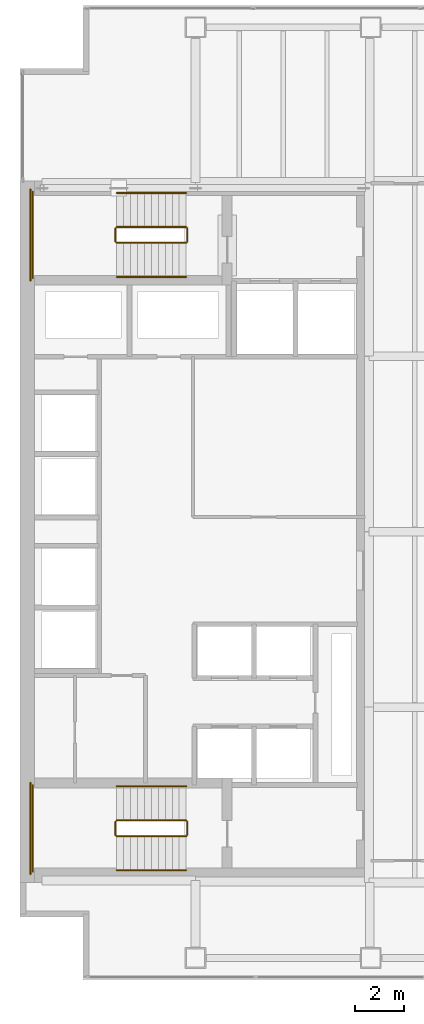
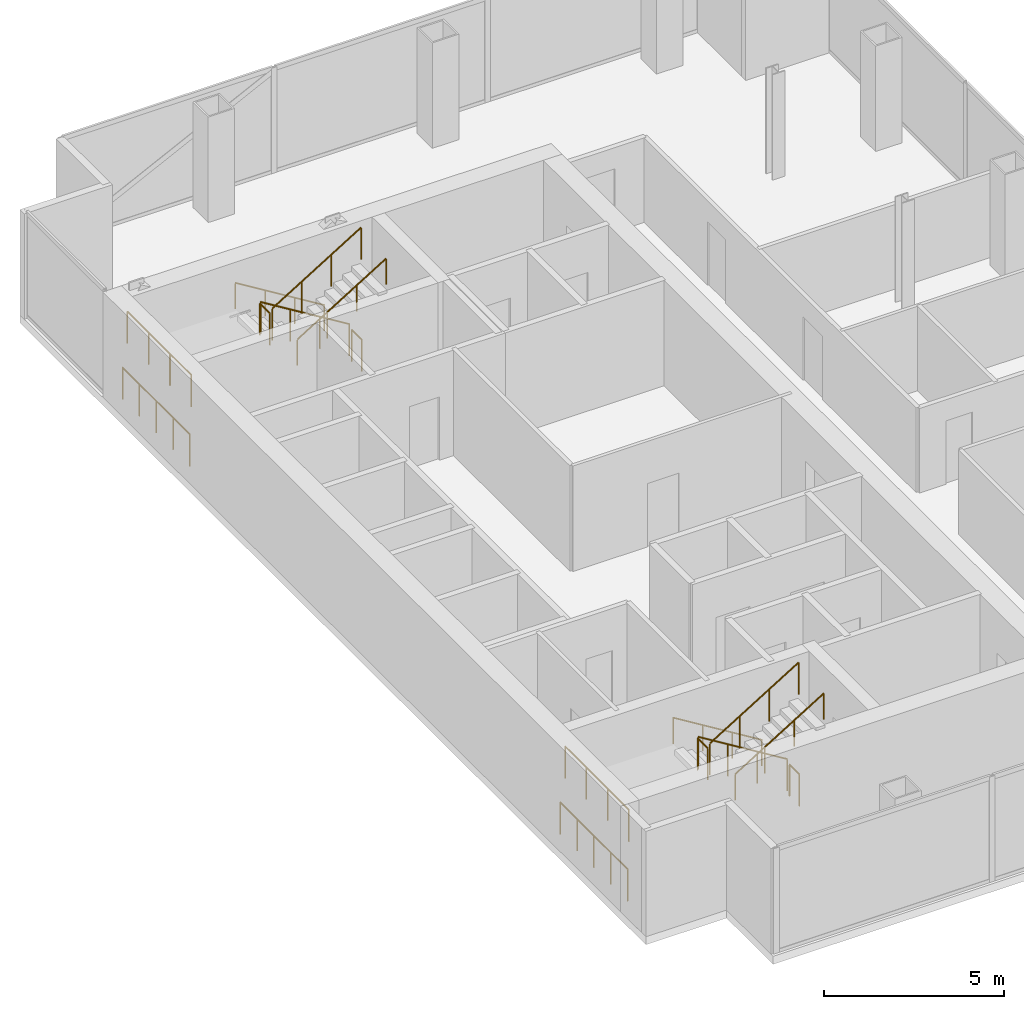
# One storey, part 23 of 23: 16 railings.
"""IFC4 building model written with IfcOpenShell, lengths in metres."""

from ifc_helpers import new_model, si_unit, direction, frame, origin, origin_2d, place, context, subcontext, project, spatial, circle, extrude, material, type_object, element, save


model = new_model("IFC4")

# Units and contexts
model_context = context("Model", 3, precision=1e-05, world=origin(), true_north=direction((0.0, 1.0)))
body_context = subcontext(model_context, "Body", "Model", "MODEL_VIEW")
ifc_project = project(units=[si_unit("LENGTHUNIT", "METRE"), si_unit("AREAUNIT", "SQUARE_METRE"), si_unit("VOLUMEUNIT", "CUBIC_METRE"), si_unit("PLANEANGLEUNIT", "RADIAN"), si_unit("MASSUNIT", "GRAM", prefix="KILO")], contexts=[model_context])

# Site, building, storey
site_placement = place(None, origin())
site = spatial("IfcSite", under=ifc_project, at=site_placement, CompositionType="ELEMENT")
building_placement = place(site_placement, origin())
building = spatial("IfcBuilding", under=site, at=building_placement, Name="Cobrela Telecom Tower", CompositionType="ELEMENT")
storey_placement = place(building_placement, frame((0.0, 0.0, 148.39990234375)))
storey = spatial("IfcBuildingStorey", under=building, at=storey_placement, Name="L37", CompositionType="ELEMENT", Elevation=148.39990234375)

# Railings
ifc_material = material(Name="Steel ASTM A36", Category="steel")
railing_type_1 = type_object("IfcRailingType", Name="RAIL-GUARD-1100", PredefinedType="GUARDRAIL", material=ifc_material)
railing_1_placement = place(storey_placement, frame((6.820068359375, 34.10009765625, 0.175048828125)))
element("IfcRailing", 1, at=railing_1_placement, inside=storey, type_object=railing_type_1, Name="L37 ST1 stair guard 1", PredefinedType="GUARDRAIL", context=body_context, shape_type="SweptSolid", body=[
    extrude(circle(Radius=0.02392578125, at=origin_2d()), frame((0.0, 0.0, 1.076171875), z_axis=(-0.852179220489, 0.0, 0.52325001306), x_axis=(0.0, -1.0, 0.0)), (0.0, 0.0, 1.0), 3.344482421875),
    extrude(circle(Radius=0.02099609375, at=origin_2d()), origin(), (0.0, 0.0, 1.0), 1.052001953125),
    extrude(circle(Radius=0.02099609375, at=origin_2d()), frame((-0.949951171875, 0.0, 0.583251953125)), (0.0, 0.0, 1.0), 1.052001953125),
    extrude(circle(Radius=0.02099609375, at=origin_2d()), frame((-1.900146484375, 0.0, 1.166748046875)), (0.0, 0.0, 1.0), 1.052001953125),
    extrude(circle(Radius=0.02099609375, at=origin_2d()), frame((-2.85009765625, 0.0, 1.75)), (0.0, 0.0, 1.0), 1.052001953125),
])
railing_2_placement = place(storey_placement, frame((3.919921875, 34.050048828125, 1.925048828125)))
element("IfcRailing", 2, at=railing_2_placement, inside=storey, type_object=railing_type_1, Name="L37 ST1 stair guard 2", PredefinedType="GUARDRAIL", context=body_context, shape_type="SweptSolid", body=[
    extrude(circle(Radius=0.02392578125, at=origin_2d()), frame((0.0, 0.0, 1.076171875), z_axis=(0.0, -1.0, 0.0), x_axis=(1.0, 0.0, 0.0)), (0.0, 0.0, 1.0), 0.550048828125),
    extrude(circle(Radius=0.02099609375, at=origin_2d()), origin(), (0.0, 0.0, 1.0), 1.052001953125),
    extrude(circle(Radius=0.02099609375, at=origin_2d()), frame((0.0, -0.550048828125, 0.0)), (0.0, 0.0, 1.0), 1.052001953125),
])
railing_3_placement = place(storey_placement, frame((0.530029296875, 35.550048828125, 1.925048828125)))
element("IfcRailing", 3, at=railing_3_placement, inside=storey, type_object=railing_type_1, Name="L37 ST1 stair guard 3", PredefinedType="GUARDRAIL", context=body_context, shape_type="SweptSolid", body=[
    extrude(circle(Radius=0.02392578125, at=origin_2d()), frame((0.0, 0.0, 1.076171875), z_axis=(0.0, -1.0, 0.0), x_axis=(1.0, 0.0, 0.0)), (0.0, 0.0, 1.0), 3.550048828125),
    extrude(circle(Radius=0.02099609375, at=origin_2d()), origin(), (0.0, 0.0, 1.0), 1.052001953125),
    extrude(circle(Radius=0.02099609375, at=origin_2d()), frame((0.0, -1.183349609375, 0.0)), (0.0, 0.0, 1.0), 1.052001953125),
    extrude(circle(Radius=0.02099609375, at=origin_2d()), frame((0.0, -2.36669921875, 0.0)), (0.0, 0.0, 1.0), 1.052001953125),
    extrude(circle(Radius=0.02099609375, at=origin_2d()), frame((0.0, -3.550048828125, 0.0)), (0.0, 0.0, 1.0), 1.052001953125),
])
railing_4_placement = place(storey_placement, frame((3.969970703125, 33.449951171875, 2.10009765625)))
element("IfcRailing", 4, at=railing_4_placement, inside=storey, type_object=railing_type_1, Name="L37 ST1 stair guard 4", PredefinedType="GUARDRAIL", context=body_context, shape_type="SweptSolid", body=[
    extrude(circle(Radius=0.02392578125, at=origin_2d()), frame((0.0, 0.0, 1.076171875), z_axis=(0.852179220489, 0.0, 0.52325001306), x_axis=(0.0, 1.0, 0.0)), (0.0, 0.0, 1.0), 3.344482421875),
    extrude(circle(Radius=0.02099609375, at=origin_2d()), origin(), (0.0, 0.0, 1.0), 1.052001953125),
    extrude(circle(Radius=0.02099609375, at=origin_2d()), frame((0.949951171875, 0.0, 0.583251953125)), (0.0, 0.0, 1.0), 1.052001953125),
    extrude(circle(Radius=0.02099609375, at=origin_2d()), frame((1.900146484375, 0.0, 1.166748046875)), (0.0, 0.0, 1.0), 1.052001953125),
    extrude(circle(Radius=0.02099609375, at=origin_2d()), frame((2.85009765625, 0.0, 1.75)), (0.0, 0.0, 1.0), 1.052001953125),
])
railing_5_placement = place(storey_placement, frame((6.8701171875, 34.050048828125, 0.0)))
element("IfcRailing", 5, at=railing_5_placement, inside=storey, type_object=railing_type_1, Name="L37 ST1 stair guard 5", PredefinedType="GUARDRAIL", context=body_context, shape_type="SweptSolid", body=[
    extrude(circle(Radius=0.02392578125, at=origin_2d()), frame((0.0, 0.0, 1.076171875), z_axis=(0.0, -1.0, 0.0), x_axis=(1.0, 0.0, 0.0)), (0.0, 0.0, 1.0), 0.550048828125),
    extrude(circle(Radius=0.02099609375, at=origin_2d()), origin(), (0.0, 0.0, 1.0), 1.052001953125),
    extrude(circle(Radius=0.02099609375, at=origin_2d()), frame((0.0, -0.550048828125, 0.0)), (0.0, 0.0, 1.0), 1.052001953125),
])
railing_6_placement = place(storey_placement, frame((0.429931640625, 35.64990234375, 0.0)))
element("IfcRailing", 6, at=railing_6_placement, inside=storey, type_object=railing_type_1, Name="L37 ST1 stair guard 6", PredefinedType="GUARDRAIL", context=body_context, shape_type="SweptSolid", body=[
    extrude(circle(Radius=0.02392578125, at=origin_2d()), frame((0.0, 0.0, 1.076171875), z_axis=(0.0, -1.0, 0.0), x_axis=(1.0, 0.0, 0.0)), (0.0, 0.0, 1.0), 3.75),
    extrude(circle(Radius=0.02099609375, at=origin_2d()), origin(), (0.0, 0.0, 1.0), 1.052001953125),
    extrude(circle(Radius=0.02099609375, at=origin_2d()), frame((0.0, -0.9375, 0.0)), (0.0, 0.0, 1.0), 1.052001953125),
    extrude(circle(Radius=0.02099609375, at=origin_2d()), frame((0.0, -1.875, 0.0)), (0.0, 0.0, 1.0), 1.052001953125),
    extrude(circle(Radius=0.02099609375, at=origin_2d()), frame((0.0, -2.8125, 0.0)), (0.0, 0.0, 1.0), 1.052001953125),
    extrude(circle(Radius=0.02099609375, at=origin_2d()), frame((0.0, -3.75, 0.0)), (0.0, 0.0, 1.0), 1.052001953125),
])
railing_7_placement = place(storey_placement, frame((6.820068359375, 9.75, 0.175048828125)))
element("IfcRailing", 7, at=railing_7_placement, inside=storey, type_object=railing_type_1, Name="L37 ST2 stair guard 1", PredefinedType="GUARDRAIL", context=body_context, shape_type="SweptSolid", body=[
    extrude(circle(Radius=0.02392578125, at=origin_2d()), frame((0.0, 0.0, 1.076171875), z_axis=(-0.852179220489, 0.0, 0.52325001306), x_axis=(0.0, -1.0, 0.0)), (0.0, 0.0, 1.0), 3.344482421875),
    extrude(circle(Radius=0.02099609375, at=origin_2d()), origin(), (0.0, 0.0, 1.0), 1.052001953125),
    extrude(circle(Radius=0.02099609375, at=origin_2d()), frame((-0.949951171875, 0.0, 0.583251953125)), (0.0, 0.0, 1.0), 1.052001953125),
    extrude(circle(Radius=0.02099609375, at=origin_2d()), frame((-1.900146484375, 0.0, 1.166748046875)), (0.0, 0.0, 1.0), 1.052001953125),
    extrude(circle(Radius=0.02099609375, at=origin_2d()), frame((-2.85009765625, 0.0, 1.75)), (0.0, 0.0, 1.0), 1.052001953125),
])
railing_8_placement = place(storey_placement, frame((3.919921875, 9.699951171875, 1.925048828125)))
element("IfcRailing", 8, at=railing_8_placement, inside=storey, type_object=railing_type_1, Name="L37 ST2 stair guard 2", PredefinedType="GUARDRAIL", context=body_context, shape_type="SweptSolid", body=[
    extrude(circle(Radius=0.02392578125, at=origin_2d()), frame((0.0, 0.0, 1.076171875), z_axis=(0.0, -1.0, 0.0), x_axis=(1.0, 0.0, 0.0)), (0.0, 0.0, 1.0), 0.550048828125),
    extrude(circle(Radius=0.02099609375, at=origin_2d()), origin(), (0.0, 0.0, 1.0), 1.052001953125),
    extrude(circle(Radius=0.02099609375, at=origin_2d()), frame((0.0, -0.550048828125, 0.0)), (0.0, 0.0, 1.0), 1.052001953125),
])
railing_9_placement = place(storey_placement, frame((0.530029296875, 11.199951171875, 1.925048828125)))
element("IfcRailing", 9, at=railing_9_placement, inside=storey, type_object=railing_type_1, Name="L37 ST2 stair guard 3", PredefinedType="GUARDRAIL", context=body_context, shape_type="SweptSolid", body=[
    extrude(circle(Radius=0.02392578125, at=origin_2d()), frame((0.0, 0.0, 1.076171875), z_axis=(0.0, -1.0, 0.0), x_axis=(1.0, 0.0, 0.0)), (0.0, 0.0, 1.0), 3.550048828125),
    extrude(circle(Radius=0.02099609375, at=origin_2d()), origin(), (0.0, 0.0, 1.0), 1.052001953125),
    extrude(circle(Radius=0.02099609375, at=origin_2d()), frame((0.0, -1.183349609375, 0.0)), (0.0, 0.0, 1.0), 1.052001953125),
    extrude(circle(Radius=0.02099609375, at=origin_2d()), frame((0.0, -2.36669921875, 0.0)), (0.0, 0.0, 1.0), 1.052001953125),
    extrude(circle(Radius=0.02099609375, at=origin_2d()), frame((0.0, -3.550048828125, 0.0)), (0.0, 0.0, 1.0), 1.052001953125),
])
railing_10_placement = place(storey_placement, frame((3.969970703125, 9.10009765625, 2.10009765625)))
element("IfcRailing", 10, at=railing_10_placement, inside=storey, type_object=railing_type_1, Name="L37 ST2 stair guard 4", PredefinedType="GUARDRAIL", context=body_context, shape_type="SweptSolid", body=[
    extrude(circle(Radius=0.02392578125, at=origin_2d()), frame((0.0, 0.0, 1.076171875), z_axis=(0.852179220489, 0.0, 0.52325001306), x_axis=(0.0, 1.0, 0.0)), (0.0, 0.0, 1.0), 3.344482421875),
    extrude(circle(Radius=0.02099609375, at=origin_2d()), origin(), (0.0, 0.0, 1.0), 1.052001953125),
    extrude(circle(Radius=0.02099609375, at=origin_2d()), frame((0.949951171875, 0.0, 0.583251953125)), (0.0, 0.0, 1.0), 1.052001953125),
    extrude(circle(Radius=0.02099609375, at=origin_2d()), frame((1.900146484375, 0.0, 1.166748046875)), (0.0, 0.0, 1.0), 1.052001953125),
    extrude(circle(Radius=0.02099609375, at=origin_2d()), frame((2.85009765625, 0.0, 1.75)), (0.0, 0.0, 1.0), 1.052001953125),
])
railing_11_placement = place(storey_placement, frame((6.8701171875, 9.699951171875, 0.0)))
element("IfcRailing", 11, at=railing_11_placement, inside=storey, type_object=railing_type_1, Name="L37 ST2 stair guard 5", PredefinedType="GUARDRAIL", context=body_context, shape_type="SweptSolid", body=[
    extrude(circle(Radius=0.02392578125, at=origin_2d()), frame((0.0, 0.0, 1.076171875), z_axis=(0.0, -1.0, 0.0), x_axis=(1.0, 0.0, 0.0)), (0.0, 0.0, 1.0), 0.550048828125),
    extrude(circle(Radius=0.02099609375, at=origin_2d()), origin(), (0.0, 0.0, 1.0), 1.052001953125),
    extrude(circle(Radius=0.02099609375, at=origin_2d()), frame((0.0, -0.550048828125, 0.0)), (0.0, 0.0, 1.0), 1.052001953125),
])
railing_12_placement = place(storey_placement, frame((0.429931640625, 11.300048828125, 0.0)))
element("IfcRailing", 12, at=railing_12_placement, inside=storey, type_object=railing_type_1, Name="L37 ST2 stair guard 6", PredefinedType="GUARDRAIL", context=body_context, shape_type="SweptSolid", body=[
    extrude(circle(Radius=0.02392578125, at=origin_2d()), frame((0.0, 0.0, 1.076171875), z_axis=(0.0, -1.0, 0.0), x_axis=(1.0, 0.0, 0.0)), (0.0, 0.0, 1.0), 3.75),
    extrude(circle(Radius=0.02099609375, at=origin_2d()), origin(), (0.0, 0.0, 1.0), 1.052001953125),
    extrude(circle(Radius=0.02099609375, at=origin_2d()), frame((0.0, -0.9375, 0.0)), (0.0, 0.0, 1.0), 1.052001953125),
    extrude(circle(Radius=0.02099609375, at=origin_2d()), frame((0.0, -1.875, 0.0)), (0.0, 0.0, 1.0), 1.052001953125),
    extrude(circle(Radius=0.02099609375, at=origin_2d()), frame((0.0, -2.8125, 0.0)), (0.0, 0.0, 1.0), 1.052001953125),
    extrude(circle(Radius=0.02099609375, at=origin_2d()), frame((0.0, -3.75, 0.0)), (0.0, 0.0, 1.0), 1.052001953125),
])
railing_type_2 = type_object("IfcRailingType", Name="RAIL-HAND-920", PredefinedType="HANDRAIL", material=ifc_material)
railing_13_placement = place(storey_placement, frame((6.820068359375, 35.5, 0.175048828125)))
element("IfcRailing", 13, at=railing_13_placement, inside=storey, type_object=railing_type_2, Name="L37 ST1 stair handrail 1", PredefinedType="HANDRAIL", context=body_context, shape_type="SweptSolid", body=[
    extrude(circle(Radius=0.02392578125, at=origin_2d()), frame((0.0, 0.0, 0.8759765625), z_axis=(-0.852179220489, 0.0, 0.52325001306), x_axis=(0.0, -1.0, 0.0)), (0.0, 0.0, 1.0), 3.344482421875),
    extrude(circle(Radius=0.02099609375, at=origin_2d()), origin(), (0.0, 0.0, 1.0), 0.851806640625),
    extrude(circle(Radius=0.02099609375, at=origin_2d()), frame((-0.949951171875, 0.0, 0.583251953125)), (0.0, 0.0, 1.0), 0.851806640625),
    extrude(circle(Radius=0.02099609375, at=origin_2d()), frame((-1.900146484375, 0.0, 1.166748046875)), (0.0, 0.0, 1.0), 0.851806640625),
    extrude(circle(Radius=0.02099609375, at=origin_2d()), frame((-2.85009765625, 0.0, 1.75)), (0.0, 0.0, 1.0), 0.851806640625),
])
railing_14_placement = place(storey_placement, frame((3.969970703125, 32.050048828125, 2.10009765625)))
element("IfcRailing", 14, at=railing_14_placement, inside=storey, type_object=railing_type_2, Name="L37 ST1 stair handrail 2", PredefinedType="HANDRAIL", context=body_context, shape_type="SweptSolid", body=[
    extrude(circle(Radius=0.02392578125, at=origin_2d()), frame((0.0, 0.0, 0.8759765625), z_axis=(0.852179220489, 0.0, 0.52325001306), x_axis=(0.0, 1.0, 0.0)), (0.0, 0.0, 1.0), 3.344482421875),
    extrude(circle(Radius=0.02099609375, at=origin_2d()), origin(), (0.0, 0.0, 1.0), 0.851806640625),
    extrude(circle(Radius=0.02099609375, at=origin_2d()), frame((0.949951171875, 0.0, 0.583251953125)), (0.0, 0.0, 1.0), 0.851806640625),
    extrude(circle(Radius=0.02099609375, at=origin_2d()), frame((1.900146484375, 0.0, 1.166748046875)), (0.0, 0.0, 1.0), 0.851806640625),
    extrude(circle(Radius=0.02099609375, at=origin_2d()), frame((2.85009765625, 0.0, 1.75)), (0.0, 0.0, 1.0), 0.851806640625),
])
railing_15_placement = place(storey_placement, frame((6.820068359375, 11.14990234375, 0.175048828125)))
element("IfcRailing", 15, at=railing_15_placement, inside=storey, type_object=railing_type_2, Name="L37 ST2 stair handrail 1", PredefinedType="HANDRAIL", context=body_context, shape_type="SweptSolid", body=[
    extrude(circle(Radius=0.02392578125, at=origin_2d()), frame((0.0, 0.0, 0.8759765625), z_axis=(-0.852179220489, 0.0, 0.52325001306), x_axis=(0.0, -1.0, 0.0)), (0.0, 0.0, 1.0), 3.344482421875),
    extrude(circle(Radius=0.02099609375, at=origin_2d()), origin(), (0.0, 0.0, 1.0), 0.851806640625),
    extrude(circle(Radius=0.02099609375, at=origin_2d()), frame((-0.949951171875, 0.0, 0.583251953125)), (0.0, 0.0, 1.0), 0.851806640625),
    extrude(circle(Radius=0.02099609375, at=origin_2d()), frame((-1.900146484375, 0.0, 1.166748046875)), (0.0, 0.0, 1.0), 0.851806640625),
    extrude(circle(Radius=0.02099609375, at=origin_2d()), frame((-2.85009765625, 0.0, 1.75)), (0.0, 0.0, 1.0), 0.851806640625),
])
railing_16_placement = place(storey_placement, frame((3.969970703125, 7.699951171875, 2.10009765625)))
element("IfcRailing", 16, at=railing_16_placement, inside=storey, type_object=railing_type_2, Name="L37 ST2 stair handrail 2", PredefinedType="HANDRAIL", context=body_context, shape_type="SweptSolid", body=[
    extrude(circle(Radius=0.02392578125, at=origin_2d()), frame((0.0, 0.0, 0.8759765625), z_axis=(0.852179220489, 0.0, 0.52325001306), x_axis=(0.0, 1.0, 0.0)), (0.0, 0.0, 1.0), 3.344482421875),
    extrude(circle(Radius=0.02099609375, at=origin_2d()), origin(), (0.0, 0.0, 1.0), 0.851806640625),
    extrude(circle(Radius=0.02099609375, at=origin_2d()), frame((0.949951171875, 0.0, 0.583251953125)), (0.0, 0.0, 1.0), 0.851806640625),
    extrude(circle(Radius=0.02099609375, at=origin_2d()), frame((1.900146484375, 0.0, 1.166748046875)), (0.0, 0.0, 1.0), 0.851806640625),
    extrude(circle(Radius=0.02099609375, at=origin_2d()), frame((2.85009765625, 0.0, 1.75)), (0.0, 0.0, 1.0), 0.851806640625),
])

save(model, "model.ifc")
